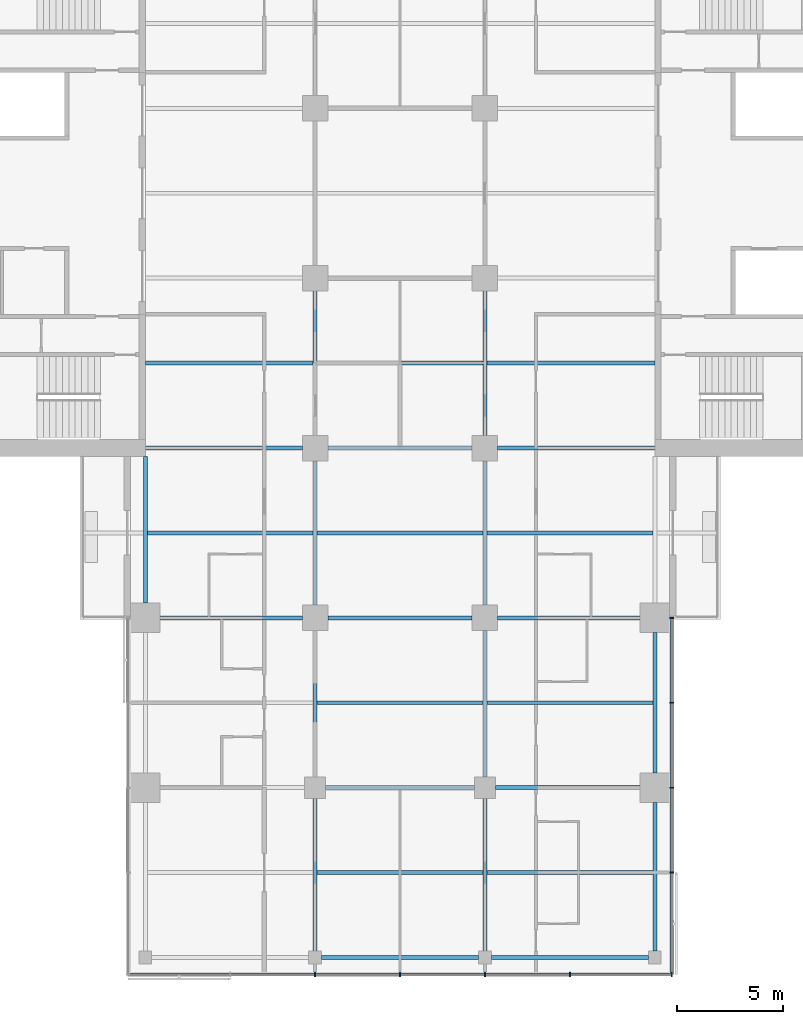
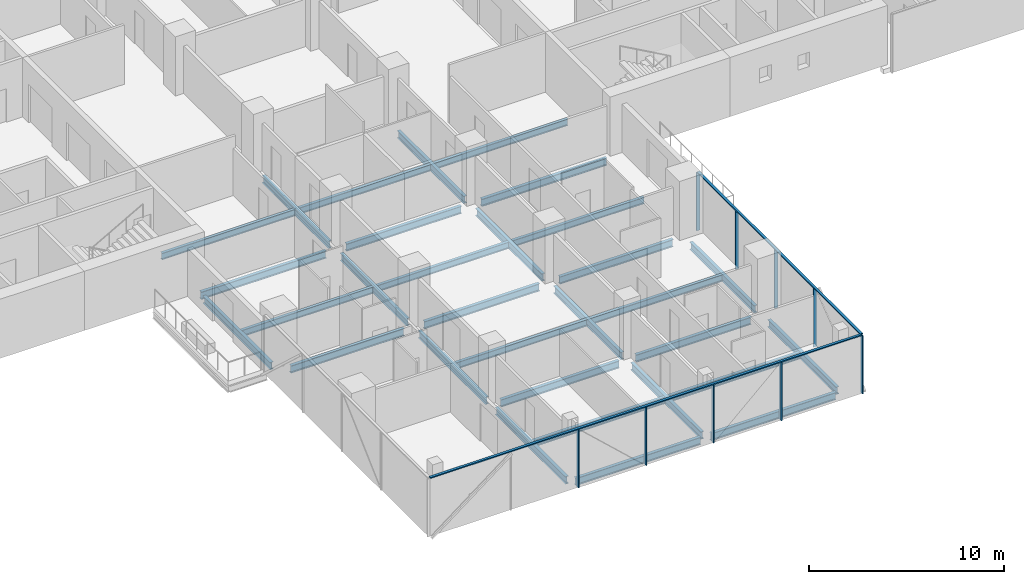
# One storey, part 4 of 27: 31 beams, 11 members, 2 elements without a shape of their own.
"""IFC4 building model written with IfcOpenShell, lengths in metres."""

from ifc_helpers import new_model, si_unit, direction, frame, origin, origin_2d, place, context, subcontext, project, spatial, rectangle, i_section, extrude, material, material_profile, profile_set, type_object, element, aggregate, save


model = new_model("IFC4")

# Units and contexts
model_context = context("Model", 3, precision=1e-05, world=origin(), true_north=direction((0.0, 1.0)))
body_context = subcontext(model_context, "Body", "Model", "MODEL_VIEW")
ifc_project = project(units=[si_unit("LENGTHUNIT", "METRE"), si_unit("AREAUNIT", "SQUARE_METRE"), si_unit("VOLUMEUNIT", "CUBIC_METRE"), si_unit("PLANEANGLEUNIT", "RADIAN"), si_unit("MASSUNIT", "GRAM", prefix="KILO")], contexts=[model_context])

# Site, building, storey
site_placement = place(None, origin())
site = spatial("IfcSite", under=ifc_project, at=site_placement, CompositionType="ELEMENT")
building_placement = place(site_placement, origin())
building = spatial("IfcBuilding", under=site, at=building_placement, Name="Crosswind Convention Tower", CompositionType="ELEMENT")
storey_placement = place(building_placement, frame((0.0, 0.0, 64.60009765625)))
storey = spatial("IfcBuildingStorey", under=building, at=storey_placement, Name="L10", CompositionType="ELEMENT", Elevation=64.60009765625)

# Beams
ifc_material_1 = material(Name="Steel S355", Category="steel")
ifc_material_profile_1 = material_profile(ifc_material_1, i_section(OverallWidth=0.1904296875, OverallDepth=0.457275390625, WebThickness=0.009033203125, FlangeThickness=0.014404296875, FilletRadius=0.01025390625, at=origin_2d()), Name="UB 457x191x75")
ifc_profile_set_1 = profile_set([ifc_material_profile_1], Name="Steel S355")
beam_type_1 = type_object("IfcBeamType", Name="Edge beam UB 457x191x75", PredefinedType="SPANDREL", material=ifc_profile_set_1)
beam_1_placement = place(storey_placement, frame((113.0, 80.699951171875, -0.5087890625), z_axis=(0.0, 1.0, 0.0), x_axis=(-1.0, 0.0, 0.0)))
element("IfcBeam", 1, at=beam_1_placement, inside=storey, type_object=beam_type_1, Name="B17 L10 edge beam 8", PredefinedType="SPANDREL", context=body_context, shape_type="SweptSolid", body=[
    extrude(i_section(OverallWidth=0.1904296875, OverallDepth=0.457275390625, WebThickness=0.009033203125, FlangeThickness=0.014404296875, FilletRadius=0.01025390625, at=origin_2d()), origin(), (0.0, 0.0, 1.0), 6.900146484375),
])
for number, where, z_axis, x_axis, name in (
    (2, (121.300048828125, 64.0, -0.5087890625), (1.0, 0.0, 0.0), (0.0, 1.0, 0.0), "B17 L10 edge beam 14"),
    (3, (129.300048828125, 64.0, -0.5087890625), (1.0, 0.0, 0.0), (0.0, 1.0, 0.0), "B17 L10 edge beam 16"),
):
    element("IfcBeam", number, at=place(storey_placement, frame(where, z_axis=z_axis, x_axis=x_axis)), inside=storey, type_object=beam_type_1, Name=name, PredefinedType="SPANDREL", context=body_context, shape_type="SweptSolid", body=[
        extrude(i_section(OverallWidth=0.1904296875, OverallDepth=0.457275390625, WebThickness=0.009033203125, FlangeThickness=0.014404296875, FilletRadius=0.01025390625, at=origin_2d()), origin(), (0.0, 0.0, 1.0), 7.39990234375),
    ])
beam_2_placement = place(storey_placement, frame((137.0, 64.300048828125, -0.5087890625), z_axis=(0.0, 1.0, 0.0), x_axis=(-1.0, 0.0, 0.0)))
element("IfcBeam", 4, at=beam_2_placement, inside=storey, type_object=beam_type_1, Name="B17 L10 edge beam 18", PredefinedType="SPANDREL", context=body_context, shape_type="SweptSolid", body=[
    extrude(i_section(OverallWidth=0.1904296875, OverallDepth=0.457275390625, WebThickness=0.009033203125, FlangeThickness=0.014404296875, FilletRadius=0.01025390625, at=origin_2d()), origin(), (0.0, 0.0, 1.0), 7.0),
])
beam_3_placement = place(storey_placement, frame((137.0, 72.699951171875, -0.5087890625), z_axis=(0.0, 1.0, 0.0), x_axis=(-1.0, 0.0, 0.0)))
element("IfcBeam", 5, at=beam_3_placement, inside=storey, type_object=beam_type_1, Name="B17 L10 edge beam 19", PredefinedType="SPANDREL", context=body_context, shape_type="SweptSolid", body=[
    extrude(i_section(OverallWidth=0.1904296875, OverallDepth=0.457275390625, WebThickness=0.009033203125, FlangeThickness=0.014404296875, FilletRadius=0.01025390625, at=origin_2d()), origin(), (0.0, 0.0, 1.0), 6.60009765625),
])
ifc_material_profile_2 = material_profile(ifc_material_1, i_section(OverallWidth=0.19140625, OverallDepth=0.460205078125, WebThickness=0.010009765625, FlangeThickness=0.01611328125, FilletRadius=0.01025390625, at=origin_2d()), Name="UB 457x191x82")
ifc_profile_set_2 = profile_set([ifc_material_profile_2], Name="Steel S355")
beam_type_2 = type_object("IfcBeamType", Name="Girder UB 457x191x82", PredefinedType="BEAM", material=ifc_profile_set_2)
beam_4_placement = place(storey_placement, frame((113.699951171875, 80.0, -0.51025390625), z_axis=(1.0, 0.0, 0.0), x_axis=(0.0, 1.0, 0.0)))
element("IfcBeam", 6, at=beam_4_placement, inside=storey, type_object=beam_type_2, Name="B3 L10 girder 2", PredefinedType="BEAM", context=body_context, shape_type="SweptSolid", body=[
    extrude(i_section(OverallWidth=0.19140625, OverallDepth=0.460205078125, WebThickness=0.010009765625, FlangeThickness=0.01611328125, FilletRadius=0.01025390625, at=origin_2d()), origin(), (0.0, 0.0, 1.0), 6.699951171875),
])
beam_5_placement = place(storey_placement, frame((121.0, 64.300048828125, -0.51025390625), z_axis=(0.0, 1.0, 0.0), x_axis=(-1.0, 0.0, 0.0)))
element("IfcBeam", 7, at=beam_5_placement, inside=storey, type_object=beam_type_2, Name="B3 L10 girder 5", PredefinedType="BEAM", context=body_context, shape_type="SweptSolid", body=[
    extrude(i_section(OverallWidth=0.19140625, OverallDepth=0.460205078125, WebThickness=0.010009765625, FlangeThickness=0.01611328125, FilletRadius=0.01025390625, at=origin_2d()), origin(), (0.0, 0.0, 1.0), 7.199951171875),
])
beam_6_placement = place(storey_placement, frame((121.0, 72.5, -0.51025390625), z_axis=(0.0, 1.0, 0.0), x_axis=(-1.0, 0.0, 0.0)))
element("IfcBeam", 8, at=beam_6_placement, inside=storey, type_object=beam_type_2, Name="B3 L10 girder 6", PredefinedType="BEAM", context=body_context, shape_type="SweptSolid", body=[
    extrude(i_section(OverallWidth=0.19140625, OverallDepth=0.460205078125, WebThickness=0.010009765625, FlangeThickness=0.01611328125, FilletRadius=0.01025390625, at=origin_2d()), origin(), (0.0, 0.0, 1.0), 6.89990234375),
])
for number, where, z_axis, x_axis, name in (
    (9, (121.0, 80.60009765625, -0.51025390625), (0.0, 1.0, 0.0), (-1.0, 0.0, 0.0), "B3 L10 girder 7"),
    (10, (121.0, 88.60009765625, -0.51025390625), (0.0, 1.0, 0.0), (-1.0, 0.0, 0.0), "B3 L10 girder 8"),
):
    element("IfcBeam", number, at=place(storey_placement, frame(where, z_axis=z_axis, x_axis=x_axis)), inside=storey, type_object=beam_type_2, Name=name, PredefinedType="BEAM", context=body_context, shape_type="SweptSolid", body=[
        extrude(i_section(OverallWidth=0.19140625, OverallDepth=0.460205078125, WebThickness=0.010009765625, FlangeThickness=0.01611328125, FilletRadius=0.01025390625, at=origin_2d()), origin(), (0.0, 0.0, 1.0), 6.7998046875),
    ])
beam_7_placement = place(storey_placement, frame((121.5, 72.0, -0.51025390625), z_axis=(1.0, 0.0, 0.0), x_axis=(0.0, 1.0, 0.0)))
element("IfcBeam", 11, at=beam_7_placement, inside=storey, type_object=beam_type_2, Name="B3 L10 girder 14", PredefinedType="BEAM", context=body_context, shape_type="SweptSolid", body=[
    extrude(i_section(OverallWidth=0.19140625, OverallDepth=0.460205078125, WebThickness=0.010009765625, FlangeThickness=0.01611328125, FilletRadius=0.01025390625, at=origin_2d()), origin(), (0.0, 0.0, 1.0), 7.0),
])
for number, where, z_axis, x_axis, name in (
    (12, (121.60009765625, 80.0, -0.51025390625), (1.0, 0.0, 0.0), (0.0, 1.0, 0.0), "B3 L10 girder 16"),
    (13, (121.60009765625, 88.0, -0.51025390625), (1.0, 0.0, 0.0), (0.0, 1.0, 0.0), "B3 L10 girder 17"),
):
    element("IfcBeam", number, at=place(storey_placement, frame(where, z_axis=z_axis, x_axis=x_axis)), inside=storey, type_object=beam_type_2, Name=name, PredefinedType="BEAM", context=body_context, shape_type="SweptSolid", body=[
        extrude(i_section(OverallWidth=0.19140625, OverallDepth=0.460205078125, WebThickness=0.010009765625, FlangeThickness=0.01611328125, FilletRadius=0.01025390625, at=origin_2d()), origin(), (0.0, 0.0, 1.0), 6.7998046875),
    ])
beam_8_placement = place(storey_placement, frame((129.0, 64.300048828125, -0.51025390625), z_axis=(0.0, 1.0, 0.0), x_axis=(-1.0, 0.0, 0.0)))
element("IfcBeam", 14, at=beam_8_placement, inside=storey, type_object=beam_type_2, Name="B3 L10 girder 22", PredefinedType="BEAM", context=body_context, shape_type="SweptSolid", body=[
    extrude(i_section(OverallWidth=0.19140625, OverallDepth=0.460205078125, WebThickness=0.010009765625, FlangeThickness=0.01611328125, FilletRadius=0.01025390625, at=origin_2d()), origin(), (0.0, 0.0, 1.0), 7.199951171875),
])
beam_9_placement = place(storey_placement, frame((129.0, 72.5, -0.51025390625), z_axis=(0.0, 1.0, 0.0), x_axis=(-1.0, 0.0, 0.0)))
element("IfcBeam", 15, at=beam_9_placement, inside=storey, type_object=beam_type_2, Name="B3 L10 girder 23", PredefinedType="BEAM", context=body_context, shape_type="SweptSolid", body=[
    extrude(i_section(OverallWidth=0.19140625, OverallDepth=0.460205078125, WebThickness=0.010009765625, FlangeThickness=0.01611328125, FilletRadius=0.01025390625, at=origin_2d()), origin(), (0.0, 0.0, 1.0), 6.89990234375),
])
for number, where, z_axis, x_axis, name in (
    (16, (129.0, 80.60009765625, -0.51025390625), (0.0, 1.0, 0.0), (-1.0, 0.0, 0.0), "B3 L10 girder 24"),
    (17, (129.0, 88.60009765625, -0.51025390625), (0.0, 1.0, 0.0), (-1.0, 0.0, 0.0), "B3 L10 girder 25"),
):
    element("IfcBeam", number, at=place(storey_placement, frame(where, z_axis=z_axis, x_axis=x_axis)), inside=storey, type_object=beam_type_2, Name=name, PredefinedType="BEAM", context=body_context, shape_type="SweptSolid", body=[
        extrude(i_section(OverallWidth=0.19140625, OverallDepth=0.460205078125, WebThickness=0.010009765625, FlangeThickness=0.01611328125, FilletRadius=0.01025390625, at=origin_2d()), origin(), (0.0, 0.0, 1.0), 6.7998046875),
    ])
beam_10_placement = place(storey_placement, frame((129.5, 72.0, -0.51025390625), z_axis=(1.0, 0.0, 0.0), x_axis=(0.0, 1.0, 0.0)))
element("IfcBeam", 18, at=beam_10_placement, inside=storey, type_object=beam_type_2, Name="B3 L10 girder 31", PredefinedType="BEAM", context=body_context, shape_type="SweptSolid", body=[
    extrude(i_section(OverallWidth=0.19140625, OverallDepth=0.460205078125, WebThickness=0.010009765625, FlangeThickness=0.01611328125, FilletRadius=0.01025390625, at=origin_2d()), origin(), (0.0, 0.0, 1.0), 6.800048828125),
])
beam_11_placement = place(storey_placement, frame((129.60009765625, 80.0, -0.51025390625), z_axis=(1.0, 0.0, 0.0), x_axis=(0.0, 1.0, 0.0)))
element("IfcBeam", 19, at=beam_11_placement, inside=storey, type_object=beam_type_2, Name="B3 L10 girder 33", PredefinedType="BEAM", context=body_context, shape_type="SweptSolid", body=[
    extrude(i_section(OverallWidth=0.19140625, OverallDepth=0.460205078125, WebThickness=0.010009765625, FlangeThickness=0.01611328125, FilletRadius=0.01025390625, at=origin_2d()), origin(), (0.0, 0.0, 1.0), 6.699951171875),
])
ifc_material_profile_3 = material_profile(ifc_material_1, i_section(OverallWidth=0.19189453125, OverallDepth=0.463623046875, WebThickness=0.010498046875, FlangeThickness=0.017578125, FilletRadius=0.01025390625, at=origin_2d()), Name="UB 457x191x90")
ifc_profile_set_3 = profile_set([ifc_material_profile_3], Name="Steel S355")
beam_type_3 = type_object("IfcBeamType", Name="Girder at core wall UB 457x191x90", PredefinedType="BEAM", material=ifc_profile_set_3)
for number, where, z_axis, x_axis, name in (
    (20, (113.0, 88.0, -0.511962890625), (1.0, 0.0, 0.0), (0.0, 1.0, 0.0), "B24 L10 girder at core wall 3"),
    (21, (129.60009765625, 88.0, -0.511962890625), (1.0, 0.0, 0.0), (0.0, 1.0, 0.0), "B24 L10 girder at core wall 7"),
):
    element("IfcBeam", number, at=place(storey_placement, frame(where, z_axis=z_axis, x_axis=x_axis)), inside=storey, type_object=beam_type_3, Name=name, PredefinedType="BEAM", context=body_context, shape_type="SweptSolid", body=[
        extrude(i_section(OverallWidth=0.19189453125, OverallDepth=0.463623046875, WebThickness=0.010498046875, FlangeThickness=0.017578125, FilletRadius=0.01025390625, at=origin_2d()), origin(), (0.0, 0.0, 1.0), 7.39990234375),
    ])

# Curtain wall, members
ifc_material_2 = material(Name="Aluminium unitised curtain wall", Category="aluminium")
curtain_wall_type = type_object("IfcCurtainWallType", Name="HOTEL UNITISED WALL 200", PredefinedType="USERDEFINED", material=ifc_material_2)
curtain_wall_1_placement = place(storey_placement, origin())
curtain_wall_1 = element("IfcCurtainWall", 22, at=curtain_wall_1_placement, inside=storey, type_object=curtain_wall_type, Name="CW2 L10 S-TIP 1", ObjectType="UNITISED", PredefinedType="USERDEFINED")
ifc_material_3 = material(Name="Aluminium mullion", Category="aluminium")
ifc_material_profile_4 = material_profile(ifc_material_3, rectangle(XDim=0.199951171875, YDim=0.06494140625, at=origin_2d()), Name="AL 200X65")
ifc_profile_set_4 = profile_set([ifc_material_profile_4], Name="Aluminium mullion")
member_type_1 = type_object("IfcMemberType", Name="MULLION 65X200", PredefinedType="MULLION", material=ifc_profile_set_4)
member_1_placement = place(storey_placement, frame((121.0, 63.199951171875, -0.280029296875), z_axis=(0.0, 0.0, 1.0), x_axis=(0.0, -1.0, 0.0)))
member_1 = element("IfcMember", 23, at=member_1_placement, type_object=member_type_1, Name="CW2 mullion 3", PredefinedType="MULLION", context=body_context, shape_type="SweptSolid", body=[
    extrude(rectangle(XDim=0.199951171875, YDim=0.06494140625, at=origin_2d()), origin(), (0.0, 0.0, 1.0), 3.635009765625),
])
member_2_placement = place(storey_placement, frame((125.0, 63.199951171875, -0.280029296875), z_axis=(0.0, 0.0, 1.0), x_axis=(0.0, -1.0, 0.0)))
member_2 = element("IfcMember", 24, at=member_2_placement, type_object=member_type_1, Name="CW2 mullion 4", PredefinedType="MULLION", context=body_context, shape_type="SweptSolid", body=[
    extrude(rectangle(XDim=0.199951171875, YDim=0.06494140625, at=origin_2d()), origin(), (0.0, 0.0, 1.0), 3.635009765625),
])
member_3_placement = place(storey_placement, frame((129.0, 63.199951171875, -0.280029296875), z_axis=(0.0, 0.0, 1.0), x_axis=(0.0, -1.0, 0.0)))
member_3 = element("IfcMember", 25, at=member_3_placement, type_object=member_type_1, Name="CW2 mullion 5", PredefinedType="MULLION", context=body_context, shape_type="SweptSolid", body=[
    extrude(rectangle(XDim=0.199951171875, YDim=0.06494140625, at=origin_2d()), origin(), (0.0, 0.0, 1.0), 3.635009765625),
])
member_4_placement = place(storey_placement, frame((133.0, 63.199951171875, -0.280029296875), z_axis=(0.0, 0.0, 1.0), x_axis=(0.0, -1.0, 0.0)))
member_4 = element("IfcMember", 26, at=member_4_placement, type_object=member_type_1, Name="CW2 mullion 6", PredefinedType="MULLION", context=body_context, shape_type="SweptSolid", body=[
    extrude(rectangle(XDim=0.199951171875, YDim=0.06494140625, at=origin_2d()), origin(), (0.0, 0.0, 1.0), 3.635009765625),
])
member_5_placement = place(storey_placement, frame((137.800048828125, 63.199951171875, -0.280029296875), z_axis=(0.0, 0.0, 1.0), x_axis=(0.0, -1.0, 0.0)))
member_5 = element("IfcMember", 27, at=member_5_placement, type_object=member_type_1, Name="CW2 mullion 7", PredefinedType="MULLION", context=body_context, shape_type="SweptSolid", body=[
    extrude(rectangle(XDim=0.199951171875, YDim=0.06494140625, at=origin_2d()), origin(), (0.0, 0.0, 1.0), 3.635009765625),
])

curtain_wall_2_placement = place(storey_placement, origin())
curtain_wall_2 = element("IfcCurtainWall", 28, at=curtain_wall_2_placement, inside=storey, type_object=curtain_wall_type, Name="CW2 L10 S-E 1", ObjectType="UNITISED", PredefinedType="USERDEFINED")
member_6_placement = place(storey_placement, frame((137.800048828125, 68.0, -0.280029296875), z_axis=(0.0, 0.0, 1.0), x_axis=(1.0, 0.0, 0.0)))
member_6 = element("IfcMember", 29, at=member_6_placement, type_object=member_type_1, Name="CW2 mullion 2", PredefinedType="MULLION", context=body_context, shape_type="SweptSolid", body=[
    extrude(rectangle(XDim=0.199951171875, YDim=0.06494140625, at=origin_2d()), origin(), (0.0, 0.0, 1.0), 3.635009765625),
])
member_7_placement = place(storey_placement, frame((137.800048828125, 72.0, -0.280029296875), z_axis=(0.0, 0.0, 1.0), x_axis=(1.0, 0.0, 0.0)))
member_7 = element("IfcMember", 30, at=member_7_placement, type_object=member_type_1, Name="CW2 mullion 3", PredefinedType="MULLION", context=body_context, shape_type="SweptSolid", body=[
    extrude(rectangle(XDim=0.199951171875, YDim=0.06494140625, at=origin_2d()), origin(), (0.0, 0.0, 1.0), 3.635009765625),
])
member_8_placement = place(storey_placement, frame((137.800048828125, 76.0, -0.280029296875), z_axis=(0.0, 0.0, 1.0), x_axis=(1.0, 0.0, 0.0)))
member_8 = element("IfcMember", 31, at=member_8_placement, type_object=member_type_1, Name="CW2 mullion 4", PredefinedType="MULLION", context=body_context, shape_type="SweptSolid", body=[
    extrude(rectangle(XDim=0.199951171875, YDim=0.06494140625, at=origin_2d()), origin(), (0.0, 0.0, 1.0), 3.635009765625),
])
member_9_placement = place(storey_placement, frame((137.800048828125, 80.0, -0.280029296875), z_axis=(0.0, 0.0, 1.0), x_axis=(1.0, 0.0, 0.0)))
member_9 = element("IfcMember", 32, at=member_9_placement, type_object=member_type_1, Name="CW2 mullion 5", PredefinedType="MULLION", context=body_context, shape_type="SweptSolid", body=[
    extrude(rectangle(XDim=0.199951171875, YDim=0.06494140625, at=origin_2d()), origin(), (0.0, 0.0, 1.0), 3.635009765625),
])

# Beams
ifc_material_profile_5 = material_profile(ifc_material_1, i_section(OverallWidth=0.177734375, OverallDepth=0.406494140625, WebThickness=0.0078125, FlangeThickness=0.0126953125, FilletRadius=0.01025390625, at=origin_2d()), Name="UB 406x178x60")
ifc_profile_set_5 = profile_set([ifc_material_profile_5], Name="Steel S355")
beam_type_4 = type_object("IfcBeamType", Name="Secondary beam UB 406x178x60", PredefinedType="JOIST", material=ifc_profile_set_5)
beam_12_placement = place(storey_placement, frame((113.0, 92.0, -0.4833984375), z_axis=(1.0, 0.0, 0.0), x_axis=(0.0, 1.0, 0.0)))
element("IfcBeam", 33, at=beam_12_placement, inside=storey, type_object=beam_type_4, Name="B10 L10 secondary beam 4", PredefinedType="JOIST", context=body_context, shape_type="SweptSolid", body=[
    extrude(i_section(OverallWidth=0.177734375, OverallDepth=0.406494140625, WebThickness=0.0078125, FlangeThickness=0.0126953125, FilletRadius=0.01025390625, at=origin_2d()), origin(), (0.0, 0.0, 1.0), 7.904296875),
])
beam_13_placement = place(storey_placement, frame((113.09521484375, 84.0, -0.4833984375), z_axis=(1.0, 0.0, 0.0), x_axis=(0.0, 1.0, 0.0)))
element("IfcBeam", 34, at=beam_13_placement, inside=storey, type_object=beam_type_4, Name="B10 L10 secondary beam 9", PredefinedType="JOIST", context=body_context, shape_type="SweptSolid", body=[
    extrude(i_section(OverallWidth=0.177734375, OverallDepth=0.406494140625, WebThickness=0.0078125, FlangeThickness=0.0126953125, FilletRadius=0.01025390625, at=origin_2d()), origin(), (0.0, 0.0, 1.0), 7.80908203125),
])
for number, where, z_axis, x_axis, name in (
    (35, (121.095703125, 68.0, -0.4833984375), (1.0, 0.0, 0.0), (0.0, 1.0, 0.0), "B10 L10 secondary beam 13"),
    (36, (121.095703125, 76.0, -0.4833984375), (1.0, 0.0, 0.0), (0.0, 1.0, 0.0), "B10 L10 secondary beam 14"),
    (37, (121.095703125, 84.0, -0.4833984375), (1.0, 0.0, 0.0), (0.0, 1.0, 0.0), "B10 L10 secondary beam 15"),
    (38, (121.095703125, 92.0, -0.4833984375), (1.0, 0.0, 0.0), (0.0, 1.0, 0.0), "B10 L10 secondary beam 16"),
):
    element("IfcBeam", number, at=place(storey_placement, frame(where, z_axis=z_axis, x_axis=x_axis)), inside=storey, type_object=beam_type_4, Name=name, PredefinedType="JOIST", context=body_context, shape_type="SweptSolid", body=[
        extrude(i_section(OverallWidth=0.177734375, OverallDepth=0.406494140625, WebThickness=0.0078125, FlangeThickness=0.0126953125, FilletRadius=0.01025390625, at=origin_2d()), origin(), (0.0, 0.0, 1.0), 7.80859375),
    ])
for number, where, z_axis, x_axis, name in (
    (39, (129.095703125, 68.0, -0.4833984375), (1.0, 0.0, 0.0), (0.0, 1.0, 0.0), "B10 L10 secondary beam 22"),
    (40, (129.095703125, 76.0, -0.4833984375), (1.0, 0.0, 0.0), (0.0, 1.0, 0.0), "B10 L10 secondary beam 23"),
    (41, (129.095703125, 84.0, -0.4833984375), (1.0, 0.0, 0.0), (0.0, 1.0, 0.0), "B10 L10 secondary beam 24"),
):
    element("IfcBeam", number, at=place(storey_placement, frame(where, z_axis=z_axis, x_axis=x_axis)), inside=storey, type_object=beam_type_4, Name=name, PredefinedType="JOIST", context=body_context, shape_type="SweptSolid", body=[
        extrude(i_section(OverallWidth=0.177734375, OverallDepth=0.406494140625, WebThickness=0.0078125, FlangeThickness=0.0126953125, FilletRadius=0.01025390625, at=origin_2d()), origin(), (0.0, 0.0, 1.0), 7.80908203125),
    ])
beam_14_placement = place(storey_placement, frame((129.095703125, 92.0, -0.4833984375), z_axis=(1.0, 0.0, 0.0), x_axis=(0.0, 1.0, 0.0)))
element("IfcBeam", 42, at=beam_14_placement, inside=storey, type_object=beam_type_4, Name="B10 L10 secondary beam 25", PredefinedType="JOIST", context=body_context, shape_type="SweptSolid", body=[
    extrude(i_section(OverallWidth=0.177734375, OverallDepth=0.406494140625, WebThickness=0.0078125, FlangeThickness=0.0126953125, FilletRadius=0.01025390625, at=origin_2d()), origin(), (0.0, 0.0, 1.0), 7.904296875),
])

# Member
ifc_material_4 = material(Name="Aluminium transom", Category="aluminium")
ifc_material_profile_6 = material_profile(ifc_material_4, rectangle(XDim=0.14990234375, YDim=0.06494140625, at=origin_2d()), Name="AL 150X65")
ifc_profile_set_6 = profile_set([ifc_material_profile_6], Name="Aluminium transom")
member_type_2 = type_object("IfcMemberType", Name="TRANSOM 65X150", PredefinedType="USERDEFINED", material=ifc_profile_set_6)
member_10_placement = place(storey_placement, frame((112.232421875, 63.199951171875, 3.387451171875), z_axis=(1.0, 0.0, 0.0), x_axis=(0.0, 1.0, 0.0)))
member_10 = element("IfcMember", 43, at=member_10_placement, type_object=member_type_2, Name="CW2 transom", ObjectType="TRANSOM", PredefinedType="USERDEFINED", context=body_context, shape_type="SweptSolid", body=[
    extrude(rectangle(XDim=0.14990234375, YDim=0.06494140625, at=origin_2d()), origin(), (0.0, 0.0, 1.0), 25.53515625),
])

aggregate(curtain_wall_1, [member_1, member_2, member_3, member_4, member_5, member_10])

member_11_placement = place(storey_placement, frame((137.800048828125, 63.232421875, 3.387451171875), z_axis=(0.0, 1.0, 0.0), x_axis=(-1.0, 0.0, 0.0)))
member_11 = element("IfcMember", 44, at=member_11_placement, type_object=member_type_2, Name="CW2 transom", ObjectType="TRANSOM", PredefinedType="USERDEFINED", context=body_context, shape_type="SweptSolid", body=[
    extrude(rectangle(XDim=0.14990234375, YDim=0.06494140625, at=origin_2d()), origin(), (0.0, 0.0, 1.0), 16.735107421875),
])

aggregate(curtain_wall_2, [member_6, member_7, member_8, member_9, member_11])

save(model, "model.ifc")
